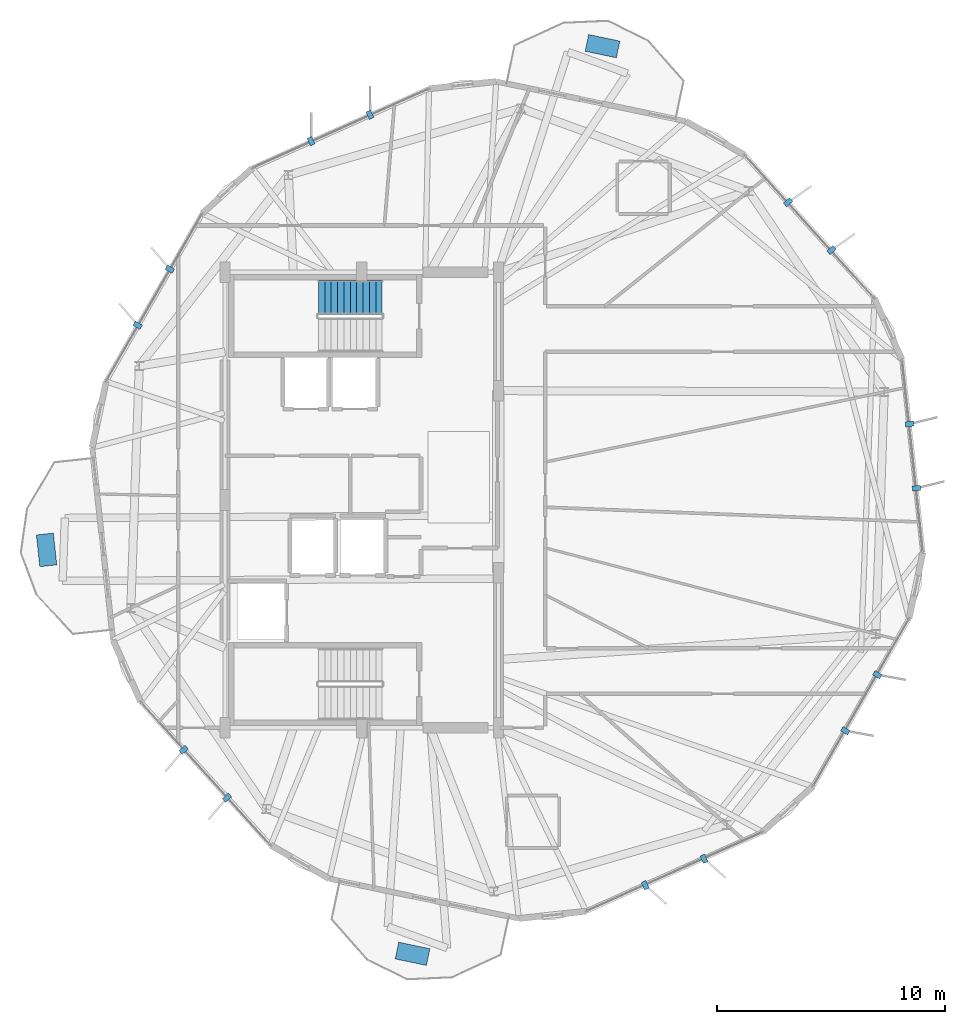
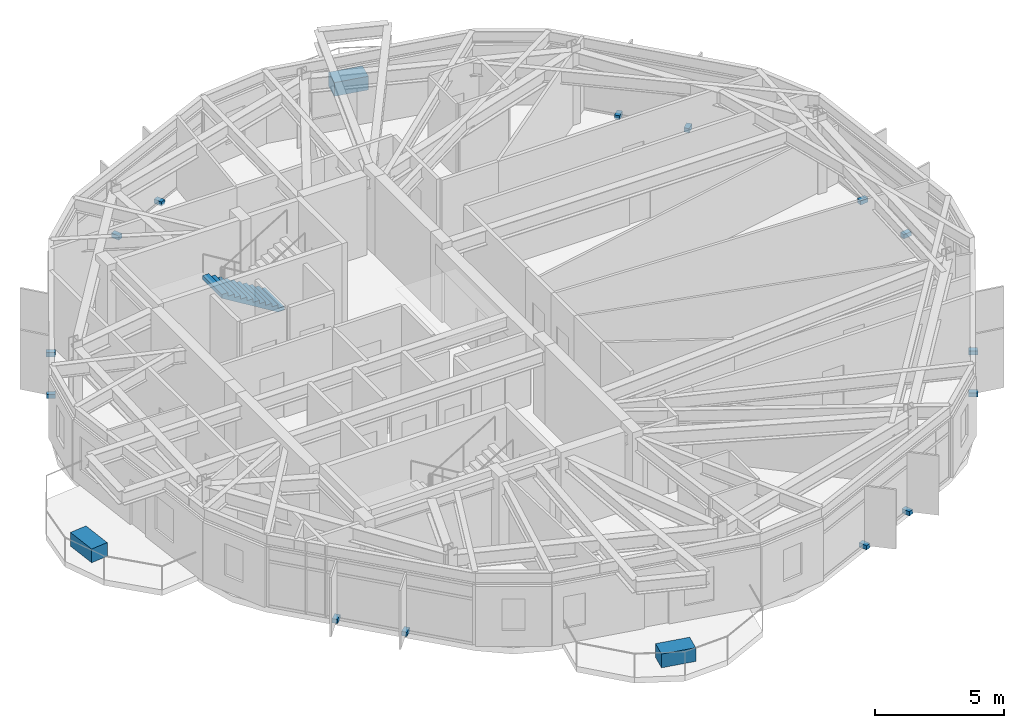
# One storey, part 20 of 23: 17 discrete accessories, 1 stair flight, 1 element without a shape of its own.
"""IFC4 building model written with IfcOpenShell, lengths in metres."""

from ifc_helpers import new_model, si_unit, direction, frame, origin, origin_2d, place, context, subcontext, project, spatial, polyline, rectangle, outline, extrude, material, layer, layer_set, type_object, element, aggregate, save


model = new_model("IFC4")

# Units and contexts
model_context = context("Model", 3, precision=1e-05, world=origin(), true_north=direction((0.0, 1.0)))
body_context = subcontext(model_context, "Body", "Model", "MODEL_VIEW")
ifc_project = project(units=[si_unit("LENGTHUNIT", "METRE"), si_unit("AREAUNIT", "SQUARE_METRE"), si_unit("VOLUMEUNIT", "CUBIC_METRE"), si_unit("PLANEANGLEUNIT", "RADIAN"), si_unit("MASSUNIT", "GRAM", prefix="KILO")], contexts=[model_context])

# Site, building, storey
site_placement = place(None, origin())
site = spatial("IfcSite", under=ifc_project, at=site_placement, CompositionType="ELEMENT")
building_placement = place(site_placement, origin())
building = spatial("IfcBuilding", under=site, at=building_placement, Name="Soratama Intermodal Tower", CompositionType="ELEMENT")
storey_placement = place(building_placement, frame((0.0, 0.0, 253.75)))
storey = spatial("IfcBuildingStorey", under=building, at=storey_placement, Name="L64", CompositionType="ELEMENT", Elevation=253.75)

# Stair, stair flight
ifc_material_1 = material(Name="Concrete f'c 42 MPa", Category="concrete")
stair_type = type_object("IfcStairType", Name="ST-CORE-DOGLEG", PredefinedType="HALF_TURN_STAIR", material=ifc_material_1)
stair_placement = place(storey_placement, origin())
stair = element("IfcStair", 1, at=stair_placement, inside=storey, type_object=stair_type, Name="L64 ST-2", PredefinedType="HALF_TURN_STAIR")
ifc_material_2 = material(Name="Precast concrete f'c 40 MPa", Category="concrete")
ifc_layer = layer(ifc_material_2, 0.199951171875)
ifc_layer_set = layer_set([ifc_layer], Name="Precast concrete f'c 40 MPa")
stair_flight_type = type_object("IfcStairFlightType", Name="SF-FLIGHT-RC", PredefinedType="STRAIGHT", material=ifc_layer_set)
stair_flight_placement = place(storey_placement, frame((39.5, 33.89990234375, 0.0), z_axis=(0.0, 0.0, 1.0), x_axis=(-1.0, 0.0, 0.0)))
stair_flight = element("IfcStairFlight", 2, at=stair_flight_placement, type_object=stair_flight_type, Name="ST-2 flight 1", NumberOfRisers=11, NumberOfTreads=10, PredefinedType="STRAIGHT", RiserHeight=0.170454545, TreadLength=0.28, context=body_context, shape_type="SweptSolid", body=[
    extrude(outline(polyline([(0.0, 0.0), (0.0, 0.17041015625), (0.280029296875, 0.17041015625), (0.280029296875, 0.3408203125), (0.56005859375, 0.3408203125), (0.56005859375, 0.511474609375), (0.840087890625, 0.511474609375), (0.840087890625, 0.681884765625), (1.1201171875, 0.681884765625), (1.1201171875, 0.852294921875), (1.39990234375, 0.852294921875), (1.39990234375, 1.022705078125), (1.679931640625, 1.022705078125), (1.679931640625, 1.193115234375), (1.9599609375, 1.193115234375), (1.9599609375, 1.363525390625), (2.239990234375, 1.363525390625), (2.239990234375, 1.5341796875), (2.52001953125, 1.5341796875), (2.52001953125, 1.70458984375), (2.800048828125, 1.70458984375), (2.800048828125, 1.875), (2.800048828125, 1.529052734375), (0.288330078125, 0.0), (0.0, 0.0)])), frame((0.0, 0.75, 0.0), z_axis=(0.0, -1.0, 0.0), x_axis=(1.0, 0.0, 0.0)), (0.0, 0.0, 1.0), 1.5),
])
aggregate(stair, [stair_flight])

# Discrete accessories
ifc_material_3 = material(Name="Structural steel ASTM A992 Grade 50", Category="steel")
discrete_accessory_type_1 = type_object("IfcDiscreteAccessoryType", Name="AC-FIN-BRACKET", PredefinedType="BRACKET", material=ifc_material_3)
for number, where, z_axis, x_axis, name in (
    (3, (38.96044921875, 41.90966796875, -0.080078125), (0.0, 0.0, 1.0), (-0.40960461889, 0.912263150732, 0.0), "L64 Fin Bracket F02-1"),
    (4, (36.375732421875, 40.7490234375, -0.080078125), (0.0, 0.0, 1.0), (-0.40960461889, 0.912263150732, 0.0), "L64 Fin Bracket F02-2"),
    (5, (30.1748046875, 35.130126953125, -0.080078125), (0.0, 0.0, 1.0), (-0.867591923867, 0.49727683803, 0.0), "L64 Fin Bracket F03-1"),
    (6, (28.765869140625, 32.672119140625, -0.080078125), (0.0, 0.0, 1.0), (-0.867591923867, 0.49727683803, 0.0), "L64 Fin Bracket F03-2"),
    (7, (30.7841796875, 14.03076171875, -0.080078125), (0.0, 0.0, 1.0), (-0.741039025868, -0.671461958818, 0.0), "L64 Fin Bracket F05-1"),
    (8, (32.686767578125, 11.93115234375, -0.080078125), (0.0, 0.0, 1.0), (-0.741039025868, -0.671461958818, 0.0), "L64 Fin Bracket F05-2"),
    (9, (51.03955078125, 8.09033203125, -0.080078125), (0.0, 0.0, 1.0), (0.40960461889, -0.912263150732, 0.0), "L64 Fin Bracket F07-1"),
    (10, (53.624267578125, 9.2509765625, -0.080078125), (0.0, 0.0, 1.0), (0.40960461889, -0.912263150732, 0.0), "L64 Fin Bracket F07-2"),
    (11, (59.8251953125, 14.869873046875, -0.080078125), (0.0, 0.0, 1.0), (0.867591923867, -0.49727683803, 0.0), "L64 Fin Bracket F08-1"),
    (12, (61.234130859375, 17.327880859375, -0.080078125), (0.0, 0.0, 1.0), (0.867591923867, -0.49727683803, 0.0), "L64 Fin Bracket F08-2"),
    (13, (62.948486328125, 25.5185546875, -0.080078125), (0.0, 0.0, 1.0), (0.994188602291, 0.107652324982, 0.0), "L64 Fin Bracket F09-1"),
    (14, (62.643310546875, 28.33544921875, -0.080078125), (0.0, 0.0, 1.0), (0.994188602291, 0.107652324982, 0.0), "L64 Fin Bracket F09-2"),
    (15, (59.2158203125, 35.96923828125, -0.080078125), (0.0, 0.0, 1.0), (0.741039025868, 0.671461958818, 0.0), "L64 Fin Bracket F10-1"),
    (16, (57.313232421875, 38.06884765625, -0.080078125), (0.0, 0.0, 1.0), (0.741039025868, 0.671461958818, 0.0), "L64 Fin Bracket F10-2"),
):
    element("IfcDiscreteAccessory", number, at=place(storey_placement, frame(where, z_axis=z_axis, x_axis=x_axis)), inside=storey, type_object=discrete_accessory_type_1, Name=name, PredefinedType="BRACKET", context=body_context, shape_type="SweptSolid", body=[
        extrude(rectangle(XDim=0.360107421875, YDim=0.219970703125, at=origin_2d()), origin(), (0.0, 0.0, 1.0), 0.199951171875),
    ])
ifc_material_4 = material(Name="Precast concrete f'c 40 MPa", Category="concrete")
discrete_accessory_type_2 = type_object("IfcDiscreteAccessoryType", Name="AC-PLANTER-TREE", PredefinedType="USERDEFINED", material=ifc_material_4)
for number, where, z_axis, x_axis, name in (
    (17, (49.16845703125, 44.91845703125, 0.0), (0.0, 0.0, 1.0), (0.204837728554, 0.978795946539, 0.0), "L64 Tree Planter 1"),
    (18, (24.768310546875, 22.809326171875, 0.0), (0.0, 0.0, 1.0), (-0.994188602291, -0.107652324982, 0.0), "L64 Tree Planter 2"),
    (19, (40.83154296875, 5.08154296875, 0.0), (0.0, 0.0, 1.0), (-0.204837728554, -0.978795946539, 0.0), "L64 Tree Planter 3"),
):
    element("IfcDiscreteAccessory", number, at=place(storey_placement, frame(where, z_axis=z_axis, x_axis=x_axis)), inside=storey, type_object=discrete_accessory_type_2, Name=name, ObjectType="PLANTER", PredefinedType="USERDEFINED", context=body_context, shape_type="SweptSolid", body=[
        extrude(rectangle(XDim=0.75, YDim=1.39990234375, at=origin_2d()), origin(), (0.0, 0.0, 1.0), 0.64990234375),
    ])

save(model, "model.ifc")
